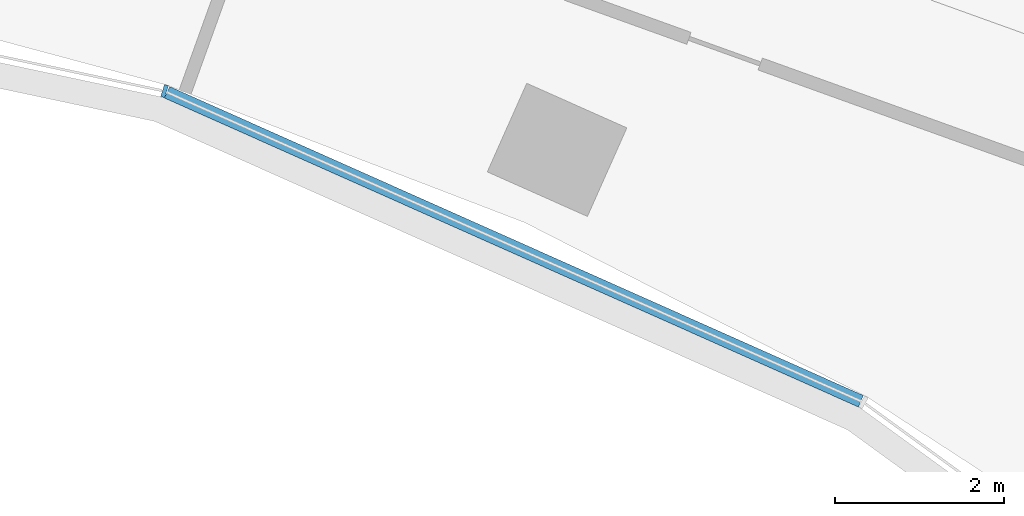
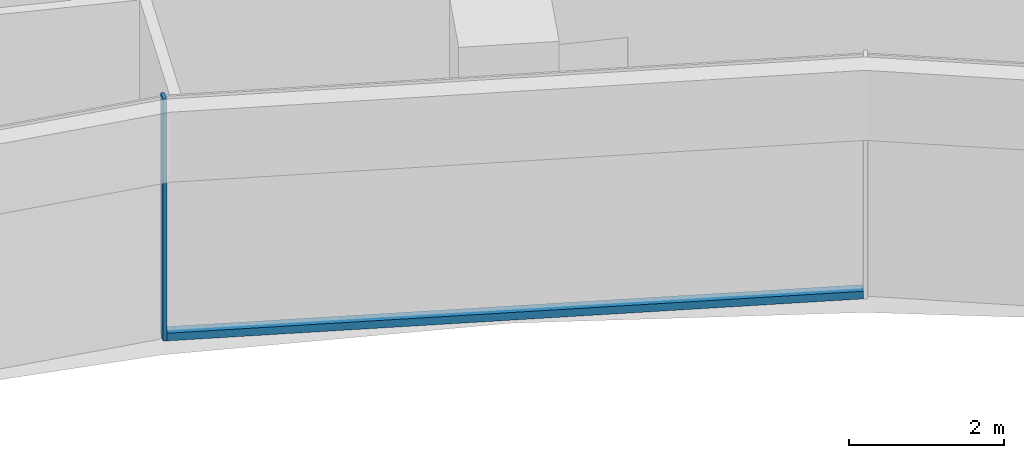
# One storey, part 9 of 21: 2 members, 1 element without a shape of its own.
"""IFC4 building model written with IfcOpenShell, lengths in metres."""

from ifc_helpers import new_model, si_unit, direction, frame, origin, origin_2d, place, context, subcontext, project, spatial, rectangle, extrude, material, layer, layer_set, material_profile, profile_set, type_object, element, aggregate, save


model = new_model("IFC4")

# Units and contexts
model_context = context("Model", 3, precision=1e-05, world=origin(), true_north=direction((0.0, 1.0)))
body_context = subcontext(model_context, "Body", "Model", "MODEL_VIEW")
ifc_project = project(units=[si_unit("LENGTHUNIT", "METRE"), si_unit("AREAUNIT", "SQUARE_METRE"), si_unit("VOLUMEUNIT", "CUBIC_METRE"), si_unit("PLANEANGLEUNIT", "RADIAN"), si_unit("MASSUNIT", "GRAM", prefix="KILO")], contexts=[model_context])

# Site, building, storey
site_placement = place(None, origin())
site = spatial("IfcSite", under=ifc_project, at=site_placement, CompositionType="ELEMENT")
building_placement = place(site_placement, origin())
building = spatial("IfcBuilding", under=site, at=building_placement, Name="Stone Belt Terrace Tower", CompositionType="ELEMENT")
storey_placement = place(building_placement, frame((0.0, 0.0, 94.60009765625)))
storey = spatial("IfcBuildingStorey", under=building, at=storey_placement, Name="L22", CompositionType="ELEMENT", Elevation=94.60009765625)

# Curtain wall, members
ifc_material = material(Name="Aluminium 6063-T6 anodised frame", Category="aluminium")
ifc_layer = layer(ifc_material, 0.14990234375)
ifc_layer_set = layer_set([ifc_layer], Name="CW-B unitised concave-face curtain wall")
curtain_wall_type = type_object("IfcCurtainWallType", Name="CW-B unitised concave-face curtain wall", PredefinedType="NOTDEFINED", material=ifc_layer_set)
curtain_wall_placement = place(storey_placement, origin())
curtain_wall = element("IfcCurtainWall", 1, at=curtain_wall_placement, inside=storey, type_object=curtain_wall_type, Name="CW-B concave face L22", PredefinedType="NOTDEFINED")
ifc_material_profile_1 = material_profile(ifc_material, rectangle(XDim=0.14990234375, YDim=0.050048828125, at=origin_2d()), Name="Aluminium 6063-T6 50x150")
ifc_profile_set_1 = profile_set([ifc_material_profile_1], Name="Aluminium 6063-T6 anodised frame")
member_type_1 = type_object("IfcMemberType", Name="CW-B mullion 50 x 150", PredefinedType="MULLION", material=ifc_profile_set_1)
member_1_placement = place(storey_placement, frame((13.4189453125, 41.29931640625, 0.0), z_axis=(0.0, 0.0, 1.0), x_axis=(0.309016994375, 0.951056516295, 0.0)))
member_1 = element("IfcMember", 2, at=member_1_placement, type_object=member_type_1, Name="CW-B mullion 7", PredefinedType="MULLION", context=body_context, shape_type="SweptSolid", body=[
    extrude(rectangle(XDim=0.14990234375, YDim=0.050048828125, at=origin_2d()), origin(), (0.0, 0.0, 1.0), 3.7998046875),
])
ifc_material_profile_2 = material_profile(ifc_material, rectangle(XDim=0.14990234375, YDim=0.1201171875, at=origin_2d()), Name="Aluminium 6063-T6 150x120")
ifc_profile_set_2 = profile_set([ifc_material_profile_2], Name="Aluminium 6063-T6 anodised frame")
member_type_2 = type_object("IfcMemberType", Name="CW-B transom 120 x 150", PredefinedType="USERDEFINED", material=ifc_profile_set_2)
member_2_placement = place(storey_placement, frame((13.44873046875, 41.285888671875, 0.059814453125), z_axis=(0.913548853737, -0.406729015237, 0.0), x_axis=(0.406729015237, 0.913548853737, 0.0)))
member_2 = element("IfcMember", 3, at=member_2_placement, type_object=member_type_2, Name="CW-B transom 7.1", ObjectType="TRANSOM", PredefinedType="USERDEFINED", context=body_context, shape_type="SweptSolid", body=[
    extrude(rectangle(XDim=0.14990234375, YDim=0.1201171875, at=origin_2d()), origin(), (0.0, 0.0, 1.0), 9.0126953125),
])
aggregate(curtain_wall, [member_1, member_2])

save(model, "model.ifc")
